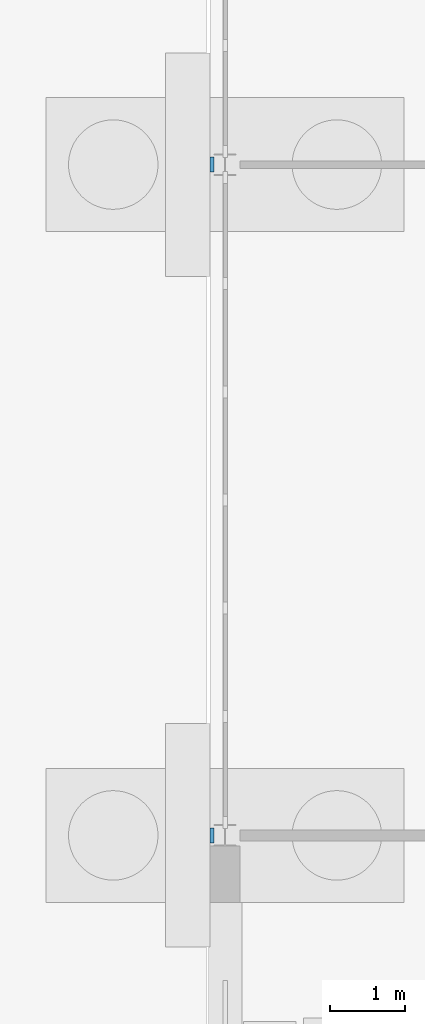
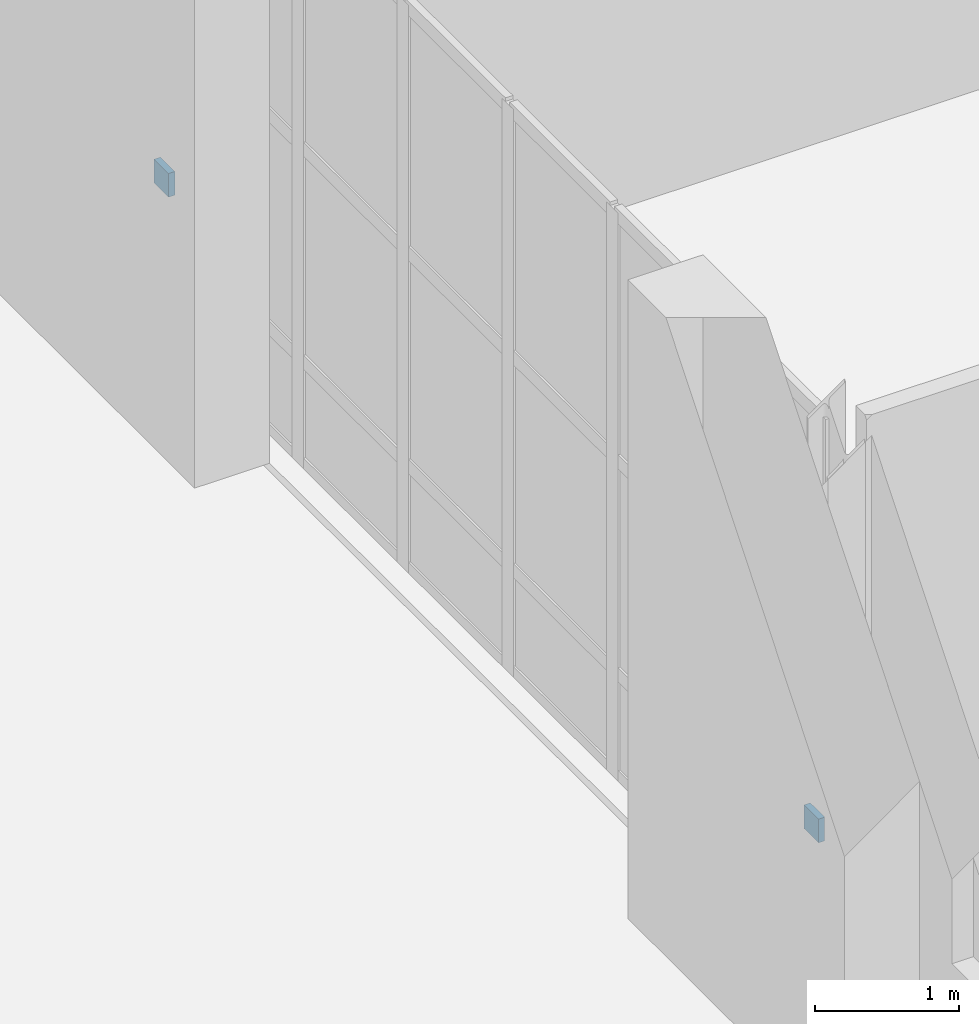
# One storey, part 115 of 168: 2 discrete accessories.
"""IFC4 building model written with IfcOpenShell, lengths in metres."""

from ifc_helpers import new_model, si_unit, direction, frame, origin, origin_2d, place, context, subcontext, project, spatial, rectangle, extrude, material, type_object, element, save


model = new_model("IFC4")

# Units and contexts
model_context = context("Model", 3, precision=1e-05, world=origin(), true_north=direction((0.0, 1.0)))
body_context = subcontext(model_context, "Body", "Model", "MODEL_VIEW")
ifc_project = project(units=[si_unit("LENGTHUNIT", "METRE"), si_unit("AREAUNIT", "SQUARE_METRE"), si_unit("VOLUMEUNIT", "CUBIC_METRE"), si_unit("PLANEANGLEUNIT", "RADIAN"), si_unit("MASSUNIT", "GRAM", prefix="KILO")], contexts=[model_context])

# Site, building, storey
site_placement = place(None, origin())
site = spatial("IfcSite", under=ifc_project, at=site_placement, CompositionType="ELEMENT")
building_placement = place(site_placement, origin())
building = spatial("IfcBuilding", under=site, at=building_placement, Name="Golden Quay Civic Hall", CompositionType="ELEMENT")
storey_placement = place(building_placement, origin())
storey = spatial("IfcBuildingStorey", under=building, at=storey_placement, Name="L00", CompositionType="ELEMENT", Elevation=0.0)

# Discrete accessories
ifc_material = material(Name="Steel S355", Category="steel")
discrete_accessory_type = type_object("IfcDiscreteAccessoryType", Name="Pier fixing bracket 200 x 200", PredefinedType="BRACKET", material=ifc_material)
for number, where, z_axis, x_axis, name in (
    (1, (53.824951171875, 18.0, 1.39990234375), (0.0, 0.0, 1.0), (0.0, -1.0, 0.0), "Pier fixing bracket 200 x 200 L00 13"),
    (2, (53.824951171875, 27.0, 1.39990234375), (0.0, 0.0, 1.0), (0.0, -1.0, 0.0), "Pier fixing bracket 200 x 200 L00 14"),
):
    element("IfcDiscreteAccessory", number, at=place(storey_placement, frame(where, z_axis=z_axis, x_axis=x_axis)), inside=storey, type_object=discrete_accessory_type, Name=name, PredefinedType="BRACKET", context=body_context, shape_type="SweptSolid", body=[
        extrude(rectangle(XDim=0.199951171875, YDim=0.050048828125, at=origin_2d()), origin(), (0.0, 0.0, 1.0), 0.199951171875),
    ])

save(model, "model.ifc")
